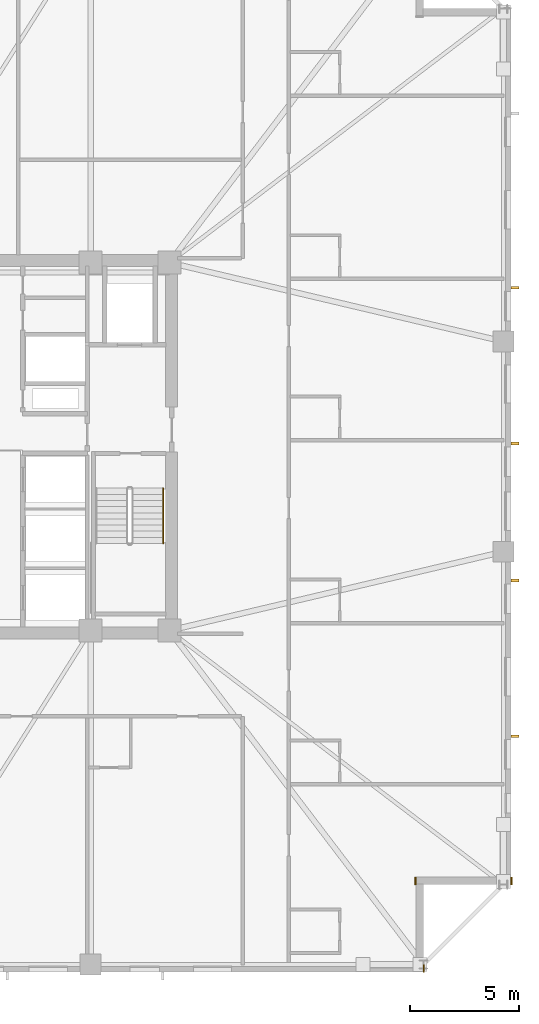
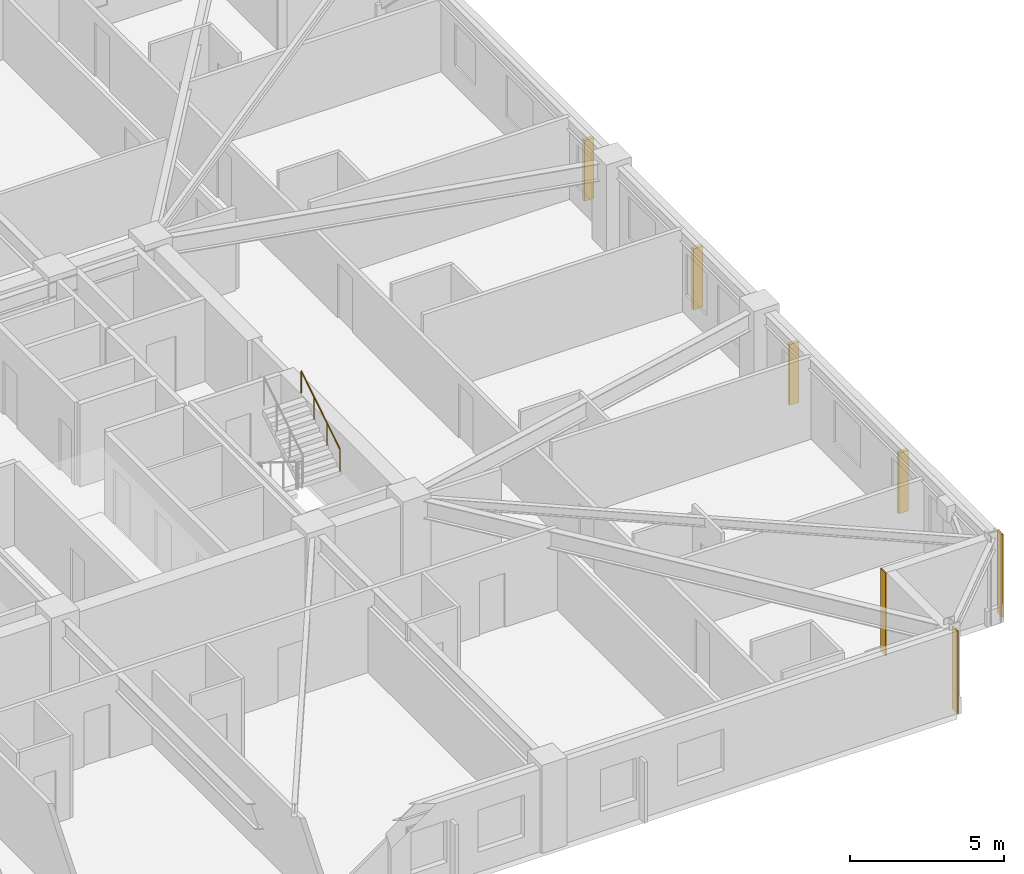
# One storey, part 9 of 11: 4 shading devices, 3 coverings, 1 railing.
"""IFC4 building model written with IfcOpenShell, lengths in metres."""

from ifc_helpers import new_model, si_unit, direction, frame, frame_2d, origin, origin_2d, place, context, subcontext, project, spatial, rectangle, circle, extrude, material, layer, layer_set, type_object, element, save


model = new_model("IFC4")

# Units and contexts
model_context = context("Model", 3, precision=1e-05, world=origin(), true_north=direction((0.0, 1.0)))
body_context = subcontext(model_context, "Body", "Model", "MODEL_VIEW")
ifc_project = project(units=[si_unit("LENGTHUNIT", "METRE"), si_unit("AREAUNIT", "SQUARE_METRE"), si_unit("VOLUMEUNIT", "CUBIC_METRE"), si_unit("PLANEANGLEUNIT", "RADIAN"), si_unit("MASSUNIT", "GRAM", prefix="KILO")], contexts=[model_context])

# Site, building, storey
site_placement = place(None, origin())
site = spatial("IfcSite", under=ifc_project, at=site_placement, CompositionType="ELEMENT")
building_placement = place(site_placement, origin())
building = spatial("IfcBuilding", under=site, at=building_placement, Name="Cairnveth Concourse Tower", CompositionType="ELEMENT")
storey_placement = place(building_placement, frame((0.0, 0.0, 134.0)))
storey = spatial("IfcBuildingStorey", under=building, at=storey_placement, Name="L36", CompositionType="ELEMENT", Elevation=134.0)

# Coverings
ifc_material_1 = material(Name="Dressed Melbourne Bluestone Cladding", Category="masonry")
ifc_layer = layer(ifc_material_1, 0.050048828125)
ifc_layer_set = layer_set([ifc_layer], Name="Dressed Melbourne Bluestone Cladding")
covering_type = type_object("IfcCoveringType", Name="DRESSED BLUESTONE PLINTH CLADDING 50", PredefinedType="CLADDING", material=ifc_layer_set)
for number, where, z_axis, x_axis, name in (
    (1, (76.02001953125, 19.340087890625, 0.0), (0.0, 0.0, 1.0), (0.0, -1.0, 0.0), "Melbourne Bluestone Corner Quoin L36-522"),
    (2, (71.639892578125, 19.340087890625, 0.0), (0.0, 0.0, 1.0), (0.0, -1.0, 0.0), "Melbourne Bluestone Corner Quoin L36-523"),
    (3, (72.02001953125, 15.340087890625, 0.0), (0.0, 0.0, 1.0), (0.0, -1.0, 0.0), "Melbourne Bluestone Corner Quoin L36-524"),
):
    element("IfcCovering", number, at=place(storey_placement, frame(where, z_axis=z_axis, x_axis=x_axis)), inside=storey, type_object=covering_type, Name=name, PredefinedType="CLADDING", context=body_context, shape_type="SweptSolid", body=[
        extrude(rectangle(XDim=0.340087890625, YDim=0.050048828125, at=frame_2d((0.169921875, 0.0))), origin(), (0.0, 0.0, 1.0), 3.280029296875),
    ])

# Shading devices
ifc_material_2 = material(Name="Architectural Bronze Anodised Aluminium 6063-T6", Category="aluminium")
shading_device_type = type_object("IfcShadingDeviceType", Name="GOTHIC BRONZE VERTICAL LANCET FIN", PredefinedType="USERDEFINED", material=ifc_material_2)
for number, where, z_axis, x_axis, name in (
    (4, (76.175048828125, 46.251220703125, 0.030029296875), (0.0, 0.0, 1.0), (0.0, 1.0, 0.0), "Gothic Bronze Vertical Fin L36-6-3"),
    (5, (76.175048828125, 39.14404296875, 0.030029296875), (0.0, 0.0, 1.0), (0.0, 1.0, 0.0), "Gothic Bronze Vertical Fin L36-6-5"),
    (6, (76.175048828125, 32.886962890625, 0.030029296875), (0.0, 0.0, 1.0), (0.0, 1.0, 0.0), "Gothic Bronze Vertical Fin L36-6-7"),
    (7, (76.175048828125, 25.77978515625, 0.030029296875), (0.0, 0.0, 1.0), (0.0, 1.0, 0.0), "Gothic Bronze Vertical Fin L36-6-9"),
):
    element("IfcShadingDevice", number, at=place(storey_placement, frame(where, z_axis=z_axis, x_axis=x_axis)), inside=storey, type_object=shading_device_type, Name=name, ObjectType="VERTICAL FIN", PredefinedType="USERDEFINED", context=body_context, shape_type="SweptSolid", body=[
        extrude(rectangle(XDim=0.1201171875, YDim=0.360107421875, at=origin_2d()), origin(), (0.0, 0.0, 1.0), 2.419921875),
    ])

# Railing
ifc_material_3 = material(Name="Steel Grade 350", Category="steel")
railing_type = type_object("IfcRailingType", Name="STAIR WALL HANDRAIL 900", PredefinedType="HANDRAIL", material=ifc_material_3)
railing_placement = place(storey_placement, frame((60.110107421875, 34.580078125, 1.925048828125)))
element("IfcRailing", 8, at=railing_placement, inside=storey, type_object=railing_type, Name="L36 ST-2 stair handrail 2", PredefinedType="HANDRAIL", context=body_context, shape_type="SweptSolid", body=[
    extrude(circle(Radius=0.02392578125, at=origin_2d()), frame((0.0, 0.0, 0.8759765625), z_axis=(0.0, 0.848007534815, 0.529984170421), x_axis=(-1.0, 0.0, 0.0)), (0.0, 0.0, 1.0), 2.9716796875),
    extrude(circle(Radius=0.02099609375, at=origin_2d()), origin(), (0.0, 0.0, 1.0), 0.851806640625),
    extrude(circle(Radius=0.02099609375, at=origin_2d()), frame((0.0, 0.840087890625, 0.52490234375)), (0.0, 0.0, 1.0), 0.851806640625),
    extrude(circle(Radius=0.02099609375, at=origin_2d()), frame((0.0, 1.679931640625, 1.050048828125)), (0.0, 0.0, 1.0), 0.851806640625),
    extrude(circle(Radius=0.02099609375, at=origin_2d()), frame((0.0, 2.52001953125, 1.574951171875)), (0.0, 0.0, 1.0), 0.851806640625),
])

save(model, "model.ifc")
